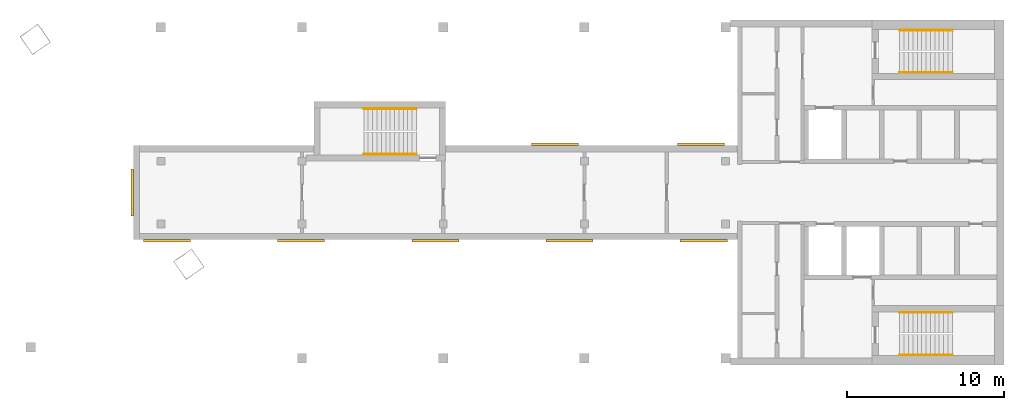
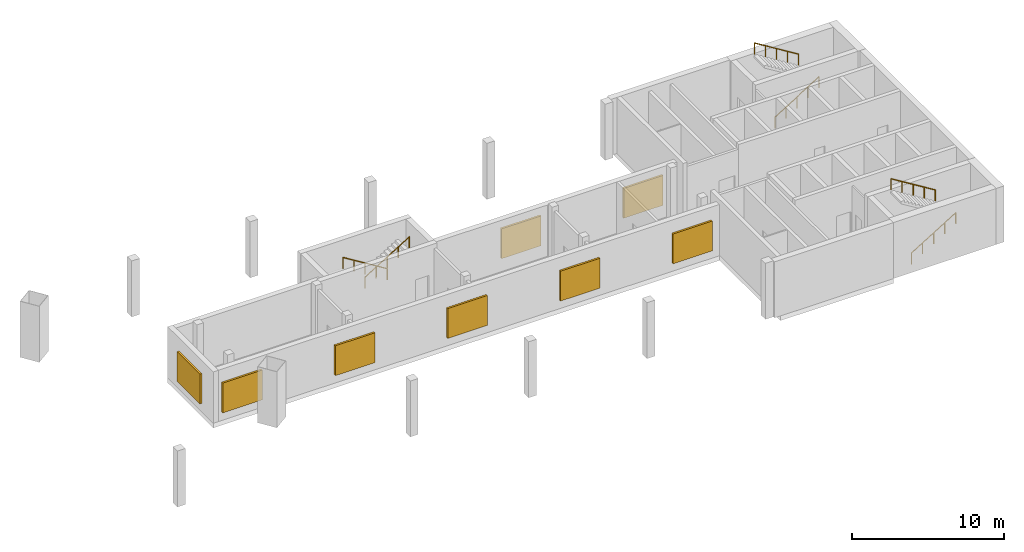
# One storey, part 4 of 4: 8 coverings, 6 railings.
"""IFC4 building model written with IfcOpenShell, lengths in metres."""

import ifcopenshell
import ifcopenshell.guid

model = None  # the IFC model being written
_history = None  # IfcOwnerHistory: only IFC2X3 demands one
_inside = {}  # id of a spatial element -> (the spatial element, [elements in it])
_under = {}  # id of a project, library or spatial element -> (it, [spatial elements below it])
_declared = {}  # id of a project -> (the project, [libraries it declares])
_typed = {}  # id of a type object -> (the type object, [elements of that type])
_made_of = {}  # id of a material, layer set ... -> (it, [elements and type objects made of it])


def new_model(schema):
    """Start an empty IFC model of exactly this schema.

    Asked for "IFC4X3", IfcOpenShell would pick the latest addendum, in which some entities
    have other attributes; the version numbers below select the first issue.
    IFC2X3 requires an IfcOwnerHistory on every rooted entity: one is made here for all.
    """
    global model, _history
    if schema == "IFC4X3":
        model = ifcopenshell.file(schema_version=(4, 3, 0, 0))
    else:
        model = ifcopenshell.file(schema=schema)
    _inside.clear()
    _under.clear()
    _declared.clear()
    _typed.clear()
    _made_of.clear()
    _history = None
    if model.schema == "IFC2X3":
        org = make("IfcOrganization", Name="unknown")
        user = make(
            "IfcPersonAndOrganization",
            ThePerson=make("IfcPerson", FamilyName="unknown"),
            TheOrganization=org,
        )
        app = make(
            "IfcApplication",
            ApplicationDeveloper=org,
            Version="unknown",
            ApplicationFullName="unknown",
            ApplicationIdentifier="unknown",
        )
        _history = make(
            "IfcOwnerHistory",
            OwningUser=user,
            OwningApplication=app,
            ChangeAction="ADDED",
            CreationDate=0,
        )
    return model


def make(cls, **values):
    """One entity of the class cls with the attributes given. An attribute that is None is left unset."""
    return model.create_entity(
        cls, **{name: value for name, value in values.items() if value is not None}
    )


def rooted(cls, **values):
    """An entity with a GlobalId (a new one), such as an element, a storey or a relation."""
    return make(cls, GlobalId=ifcopenshell.guid.new(), OwnerHistory=_history, **values)


def si_unit(unit_type, name, prefix=None):
    """IfcSIUnit, for example si_unit("LENGTHUNIT", "METRE", prefix="MILLI")."""
    return make("IfcSIUnit", UnitType=unit_type, Prefix=prefix, Name=name)


def assignment(units):
    """IfcUnitAssignment: the units of a project."""
    return None if units is None else make("IfcUnitAssignment", Units=units)


def point(xyz):
    """IfcCartesianPoint."""
    return None if xyz is None else make("IfcCartesianPoint", Coordinates=xyz)


def direction(xyz):
    """IfcDirection."""
    return None if xyz is None else make("IfcDirection", DirectionRatios=xyz)


def frame(location, z_axis=None, x_axis=None):
    """IfcAxis2Placement3D, a coordinate frame: its origin and axes. An axis left out is left unset."""
    return make(
        "IfcAxis2Placement3D",
        Location=point(location),
        Axis=direction(z_axis),
        RefDirection=direction(x_axis),
    )


def frame_2d(location, x_axis=None):
    """IfcAxis2Placement2D, a coordinate frame in the plane: its origin and x axis."""
    return make(
        "IfcAxis2Placement2D", Location=point(location), RefDirection=direction(x_axis)
    )


def origin():
    """The frame at (0, 0, 0) with its axes left unset."""
    return frame((0.0, 0.0, 0.0))


def origin_2d():
    """The frame at (0, 0) in the plane with its x axis left unset."""
    return frame_2d((0.0, 0.0))


def place(relative_to, where):
    """IfcLocalPlacement: puts the frame where relative to a parent placement (None: the world)."""
    return make(
        "IfcLocalPlacement", PlacementRelTo=relative_to, RelativePlacement=where
    )


def context(
    kind, dimensions, precision=None, world=None, true_north=None, identifier=None
):
    """IfcGeometricRepresentationContext, for example the 3D "Model" context."""
    return make(
        "IfcGeometricRepresentationContext",
        ContextIdentifier=identifier,
        ContextType=kind,
        CoordinateSpaceDimension=dimensions,
        Precision=precision,
        WorldCoordinateSystem=world,
        TrueNorth=true_north,
    )


def subcontext(parent, identifier, kind, view, scale=None):
    """IfcGeometricRepresentationSubContext, for example "Body" below "Model"."""
    return make(
        "IfcGeometricRepresentationSubContext",
        ContextIdentifier=identifier,
        ContextType=kind,
        ParentContext=parent,
        TargetScale=scale,
        TargetView=view,
    )


def project(units=None, contexts=None):
    """IfcProject with its units and contexts."""
    return rooted(
        "IfcProject",
        Name="project",
        RepresentationContexts=contexts,
        UnitsInContext=assignment(units),
    )


def spatial(cls, under=None, at=None, **own):
    """A site, building, storey or space (cls), placed at a placement, below another one or the project."""
    s = rooted(cls, ObjectPlacement=at, **own)
    if under is not None:
        _under.setdefault(under.id(), (under, []))[1].append(s)
    return s


def profile(cls, at=None, kind="AREA", **sizes):
    """A parametric profile (cls). Its sizes go by their IFC names, for example OverallWidth=200.0."""
    return make(cls, ProfileType=kind, Position=at, **sizes)


def rectangle(**sizes):
    """IfcRectangleProfileDef."""
    return profile("IfcRectangleProfileDef", **sizes)


def circle(**sizes):
    """IfcCircleProfileDef."""
    return profile("IfcCircleProfileDef", **sizes)


def extrude(swept, where, along, depth):
    """IfcExtrudedAreaSolid: the profile swept, set in the frame where, extruded along a direction by depth."""
    return make(
        "IfcExtrudedAreaSolid",
        SweptArea=swept,
        Position=where,
        ExtrudedDirection=direction(along),
        Depth=depth,
    )


def shape(context_of_items, identifier, shape_type, items):
    """IfcShapeRepresentation: the items that make up one representation, for example the "Body"."""
    return make(
        "IfcShapeRepresentation",
        ContextOfItems=context_of_items,
        RepresentationIdentifier=identifier,
        RepresentationType=shape_type,
        Items=items,
    )


def material(Name=None, Category=None):
    """IfcMaterial."""
    return make("IfcMaterial", Name=Name, Category=Category)


def material_profile(
    of_material, cross_section, Name=None, Category=None, Priority=None
):
    """IfcMaterialProfile: a cross section and its material."""
    return make(
        "IfcMaterialProfile",
        Name=Name,
        Material=of_material,
        Profile=cross_section,
        Priority=Priority,
        Category=Category,
    )


def profile_set(profiles, Name=None, composite=None):
    """IfcMaterialProfileSet."""
    return make(
        "IfcMaterialProfileSet",
        Name=Name,
        MaterialProfiles=profiles,
        CompositeProfile=composite,
    )


def made_of(thing, what):
    """Note that an element or type object is made of a material, layer set ...; save() writes the relation."""
    if what is not None:
        _made_of.setdefault(what.id(), (what, []))[1].append(thing)
    return thing


def type_object(cls, material=None, **own):
    """A type object (cls), such as IfcWallType, which elements share."""
    return made_of(rooted(cls, **own), material)


def element(
    cls,
    number,
    at=None,
    inside=None,
    cuts=None,
    type_object=None,
    material=None,
    context=None,
    identifier="Body",
    shape_type=None,
    held_by="IfcProductDefinitionShape",
    body=None,
    shapes=None,
    **own,
):
    """One element of the class cls, such as IfcWall. Its Tag is "e" and its number.

    at: its placement. inside: the storey or other place that contains it. cuts: it is an
    opening in that element (IfcRelVoidsElement). A single representation is given by context,
    identifier, shape_type and body (its items); several are given by shapes. held_by: the class
    of the entity that holds the representations. save() writes the other relations.
    """
    e = rooted(cls, Tag="e%d" % number, ObjectPlacement=at, **own)
    if body is not None:
        shapes = [shape(context, identifier, shape_type, body)]
    if shapes is not None:
        e.Representation = make(held_by, Representations=shapes)
    if inside is not None:
        _inside.setdefault(inside.id(), (inside, []))[1].append(e)
    if cuts is not None:
        rooted(
            "IfcRelVoidsElement", RelatingBuildingElement=cuts, RelatedOpeningElement=e
        )
    if type_object is not None:
        _typed.setdefault(type_object.id(), (type_object, []))[1].append(e)
    return made_of(e, material)


def aggregate(whole, parts):
    """IfcRelAggregates: a whole, such as a stair, and the parts it consists of."""
    return rooted("IfcRelAggregates", RelatingObject=whole, RelatedObjects=parts)


def save(model, path):
    """Write the relations noted so far, then the file.

    IfcRelAggregates (storeys below a building ...), IfcRelContainedInSpatialStructure (elements
    in a storey), IfcRelDefinesByType, IfcRelAssociatesMaterial and IfcRelDeclares: one each for
    every whole, place, type object, material and project.
    """
    for whole, parts in _under.values():
        aggregate(whole, parts)
    for where, things in _inside.values():
        rooted(
            "IfcRelContainedInSpatialStructure",
            RelatedElements=things,
            RelatingStructure=where,
        )
    for kind, things in _typed.values():
        rooted("IfcRelDefinesByType", RelatedObjects=things, RelatingType=kind)
    for what, things in _made_of.values():
        rooted("IfcRelAssociatesMaterial", RelatedObjects=things, RelatingMaterial=what)
    for by, libraries in _declared.values():
        rooted("IfcRelDeclares", RelatingContext=by, RelatedDefinitions=libraries)
    model.write(path)


model = new_model("IFC4")

# Units and contexts
model_context = context("Model", 3, precision=1e-05, world=origin(), true_north=direction((0.0, 1.0)))
body_context = subcontext(model_context, "Body", "Model", "MODEL_VIEW")
ifc_project = project(units=[si_unit("LENGTHUNIT", "METRE"), si_unit("AREAUNIT", "SQUARE_METRE"), si_unit("VOLUMEUNIT", "CUBIC_METRE"), si_unit("PLANEANGLEUNIT", "RADIAN"), si_unit("MASSUNIT", "GRAM", prefix="KILO")], contexts=[model_context])

# Site, building, storey
site_placement = place(None, origin())
site = spatial("IfcSite", under=ifc_project, at=site_placement, CompositionType="ELEMENT")
building_placement = place(site_placement, origin())
building = spatial("IfcBuilding", under=site, at=building_placement, Name="Skarvind Civic Tower", CompositionType="ELEMENT")
storey_placement = place(building_placement, frame((0.0, 0.0, 291.0)))
storey = spatial("IfcBuildingStorey", under=building, at=storey_placement, Name="L69", CompositionType="ELEMENT", Elevation=291.0)

# Coverings
ifc_material_1 = material(Name="Anodised aluminium louvre", Category="aluminium")
ifc_material_profile = material_profile(ifc_material_1, rectangle(XDim=3.0, YDim=2.39990234375, at=origin_2d()), Name="LOUVRE 3000 x 2400")
ifc_profile_set = profile_set([ifc_material_profile], Name="Anodised aluminium louvre")
covering_type = type_object("IfcCoveringType", Name="LV1 PLANT LOUVRE 150", PredefinedType="CLADDING", material=ifc_profile_set)
for number, where, z_axis, x_axis, name in (
    (1, (52.5, 128.0, 1.89990234375), (-1.0, 0.0, 0.0), (0.0, -1.0, 0.0), "PLANT LOUVRE"),
    (2, (88.861083984375, 125.0, 1.89990234375), (0.0, -1.0, 0.0), (1.0, 0.0, 0.0), "PLANT LOUVRE"),
    (3, (80.305419921875, 125.0, 1.89990234375), (0.0, -1.0, 0.0), (1.0, 0.0, 0.0), "PLANT LOUVRE"),
    (4, (71.75, 125.0, 1.89990234375), (0.0, -1.0, 0.0), (1.0, 0.0, 0.0), "PLANT LOUVRE"),
    (5, (63.1943359375, 125.0, 1.89990234375), (0.0, -1.0, 0.0), (1.0, 0.0, 0.0), "PLANT LOUVRE"),
    (6, (54.638916015625, 125.0, 1.89990234375), (0.0, -1.0, 0.0), (1.0, 0.0, 0.0), "PLANT LOUVRE"),
    (7, (79.375, 131.0, 1.89990234375), (0.0, 1.0, 0.0), (-1.0, 0.0, 0.0), "PLANT LOUVRE"),
    (8, (88.675048828125, 131.0, 1.89990234375), (0.0, 1.0, 0.0), (-1.0, 0.0, 0.0), "PLANT LOUVRE"),
):
    element("IfcCovering", number, at=place(storey_placement, frame(where, z_axis=z_axis, x_axis=x_axis)), inside=storey, type_object=covering_type, Name=name, PredefinedType="CLADDING", context=body_context, shape_type="SweptSolid", body=[
        extrude(rectangle(XDim=3.0, YDim=2.39990234375, at=origin_2d()), origin(), (0.0, 0.0, 1.0), 0.14990234375),
    ])

# Railings
ifc_material_2 = material(Name="Painted steel handrail", Category="steel")
railing_type = type_object("IfcRailingType", Name="Stair handrail 900", PredefinedType="HANDRAIL", material=ifc_material_2)
railing_1_placement = place(storey_placement, frame((101.35009765625, 135.64990234375, 0.173095703125)))
element("IfcRailing", 9, at=railing_1_placement, inside=storey, type_object=railing_type, Name="Stair handrail", PredefinedType="HANDRAIL", context=body_context, shape_type="SweptSolid", body=[
    extrude(circle(Radius=0.02392578125, at=origin_2d()), frame((0.0, 0.0, 0.8759765625), z_axis=(0.850606129759, 0.0, 0.525803396734), x_axis=(0.0, 1.0, 0.0)), (0.0, 0.0, 1.0), 3.949951171875),
    extrude(circle(Radius=0.02099609375, at=origin_2d()), origin(), (0.0, 0.0, 1.0), 0.851806640625),
    extrude(circle(Radius=0.02099609375, at=origin_2d()), frame((0.83984375, 0.0, 0.519287109375)), (0.0, 0.0, 1.0), 0.851806640625),
    extrude(circle(Radius=0.02099609375, at=origin_2d()), frame((1.679931640625, 0.0, 1.03857421875)), (0.0, 0.0, 1.0), 0.851806640625),
    extrude(circle(Radius=0.02099609375, at=origin_2d()), frame((2.52001953125, 0.0, 1.5576171875)), (0.0, 0.0, 1.0), 0.851806640625),
    extrude(circle(Radius=0.02099609375, at=origin_2d()), frame((3.35986328125, 0.0, 2.076904296875)), (0.0, 0.0, 1.0), 0.851806640625),
])
railing_2_placement = place(storey_placement, frame((104.7099609375, 138.35009765625, 2.423095703125)))
element("IfcRailing", 10, at=railing_2_placement, inside=storey, type_object=railing_type, Name="Stair handrail", PredefinedType="HANDRAIL", context=body_context, shape_type="SweptSolid", body=[
    extrude(circle(Radius=0.02392578125, at=origin_2d()), frame((0.0, 0.0, 0.8759765625), z_axis=(-0.850606129759, 0.0, 0.525803396734), x_axis=(0.0, -1.0, 0.0)), (0.0, 0.0, 1.0), 3.949951171875),
    extrude(circle(Radius=0.02099609375, at=origin_2d()), origin(), (0.0, 0.0, 1.0), 0.851806640625),
    extrude(circle(Radius=0.02099609375, at=origin_2d()), frame((-0.83984375, 0.0, 0.519287109375)), (0.0, 0.0, 1.0), 0.851806640625),
    extrude(circle(Radius=0.02099609375, at=origin_2d()), frame((-1.679931640625, 0.0, 1.03857421875)), (0.0, 0.0, 1.0), 0.851806640625),
    extrude(circle(Radius=0.02099609375, at=origin_2d()), frame((-2.52001953125, 0.0, 1.5576171875)), (0.0, 0.0, 1.0), 0.851806640625),
    extrude(circle(Radius=0.02099609375, at=origin_2d()), frame((-3.35986328125, 0.0, 2.076904296875)), (0.0, 0.0, 1.0), 0.851806640625),
])
railing_3_placement = place(storey_placement, frame((101.35009765625, 117.64990234375, 0.173095703125)))
element("IfcRailing", 11, at=railing_3_placement, inside=storey, type_object=railing_type, Name="Stair handrail", PredefinedType="HANDRAIL", context=body_context, shape_type="SweptSolid", body=[
    extrude(circle(Radius=0.02392578125, at=origin_2d()), frame((0.0, 0.0, 0.8759765625), z_axis=(0.850606129759, 0.0, 0.525803396734), x_axis=(0.0, 1.0, 0.0)), (0.0, 0.0, 1.0), 3.949951171875),
    extrude(circle(Radius=0.02099609375, at=origin_2d()), origin(), (0.0, 0.0, 1.0), 0.851806640625),
    extrude(circle(Radius=0.02099609375, at=origin_2d()), frame((0.83984375, 0.0, 0.519287109375)), (0.0, 0.0, 1.0), 0.851806640625),
    extrude(circle(Radius=0.02099609375, at=origin_2d()), frame((1.679931640625, 0.0, 1.03857421875)), (0.0, 0.0, 1.0), 0.851806640625),
    extrude(circle(Radius=0.02099609375, at=origin_2d()), frame((2.52001953125, 0.0, 1.5576171875)), (0.0, 0.0, 1.0), 0.851806640625),
    extrude(circle(Radius=0.02099609375, at=origin_2d()), frame((3.35986328125, 0.0, 2.076904296875)), (0.0, 0.0, 1.0), 0.851806640625),
])
railing_4_placement = place(storey_placement, frame((104.7099609375, 120.35009765625, 2.423095703125)))
element("IfcRailing", 12, at=railing_4_placement, inside=storey, type_object=railing_type, Name="Stair handrail", PredefinedType="HANDRAIL", context=body_context, shape_type="SweptSolid", body=[
    extrude(circle(Radius=0.02392578125, at=origin_2d()), frame((0.0, 0.0, 0.8759765625), z_axis=(-0.850606129759, 0.0, 0.525803396734), x_axis=(0.0, -1.0, 0.0)), (0.0, 0.0, 1.0), 3.949951171875),
    extrude(circle(Radius=0.02099609375, at=origin_2d()), origin(), (0.0, 0.0, 1.0), 0.851806640625),
    extrude(circle(Radius=0.02099609375, at=origin_2d()), frame((-0.83984375, 0.0, 0.519287109375)), (0.0, 0.0, 1.0), 0.851806640625),
    extrude(circle(Radius=0.02099609375, at=origin_2d()), frame((-1.679931640625, 0.0, 1.03857421875)), (0.0, 0.0, 1.0), 0.851806640625),
    extrude(circle(Radius=0.02099609375, at=origin_2d()), frame((-2.52001953125, 0.0, 1.5576171875)), (0.0, 0.0, 1.0), 0.851806640625),
    extrude(circle(Radius=0.02099609375, at=origin_2d()), frame((-3.35986328125, 0.0, 2.076904296875)), (0.0, 0.0, 1.0), 0.851806640625),
])
railing_5_placement = place(storey_placement, frame((70.550048828125, 133.35009765625, 0.173095703125)))
element("IfcRailing", 13, at=railing_5_placement, inside=storey, type_object=railing_type, Name="Stair handrail", PredefinedType="HANDRAIL", context=body_context, shape_type="SweptSolid", body=[
    extrude(circle(Radius=0.02392578125, at=origin_2d()), frame((0.0, 0.0, 0.8759765625), z_axis=(-0.850623216509, 0.0, 0.525775754039), x_axis=(0.0, -1.0, 0.0)), (0.0, 0.0, 1.0), 3.9501953125),
    extrude(circle(Radius=0.02099609375, at=origin_2d()), origin(), (0.0, 0.0, 1.0), 0.851806640625),
    extrude(circle(Radius=0.02099609375, at=origin_2d()), frame((-0.840087890625, 0.0, 0.519287109375)), (0.0, 0.0, 1.0), 0.851806640625),
    extrude(circle(Radius=0.02099609375, at=origin_2d()), frame((-1.68017578125, 0.0, 1.03857421875)), (0.0, 0.0, 1.0), 0.851806640625),
    extrude(circle(Radius=0.02099609375, at=origin_2d()), frame((-2.52001953125, 0.0, 1.5576171875)), (0.0, 0.0, 1.0), 0.851806640625),
    extrude(circle(Radius=0.02099609375, at=origin_2d()), frame((-3.360107421875, 0.0, 2.076904296875)), (0.0, 0.0, 1.0), 0.851806640625),
])
railing_6_placement = place(storey_placement, frame((67.18994140625, 130.449951171875, 2.423095703125)))
element("IfcRailing", 14, at=railing_6_placement, inside=storey, type_object=railing_type, Name="Stair handrail", PredefinedType="HANDRAIL", context=body_context, shape_type="SweptSolid", body=[
    extrude(circle(Radius=0.02392578125, at=origin_2d()), frame((0.0, 0.0, 0.8759765625), z_axis=(0.850623216509, 0.0, 0.525775754039), x_axis=(0.0, 1.0, 0.0)), (0.0, 0.0, 1.0), 3.9501953125),
    extrude(circle(Radius=0.02099609375, at=origin_2d()), origin(), (0.0, 0.0, 1.0), 0.851806640625),
    extrude(circle(Radius=0.02099609375, at=origin_2d()), frame((0.840087890625, 0.0, 0.519287109375)), (0.0, 0.0, 1.0), 0.851806640625),
    extrude(circle(Radius=0.02099609375, at=origin_2d()), frame((1.68017578125, 0.0, 1.03857421875)), (0.0, 0.0, 1.0), 0.851806640625),
    extrude(circle(Radius=0.02099609375, at=origin_2d()), frame((2.52001953125, 0.0, 1.5576171875)), (0.0, 0.0, 1.0), 0.851806640625),
    extrude(circle(Radius=0.02099609375, at=origin_2d()), frame((3.360107421875, 0.0, 2.076904296875)), (0.0, 0.0, 1.0), 0.851806640625),
])

save(model, "model.ifc")
